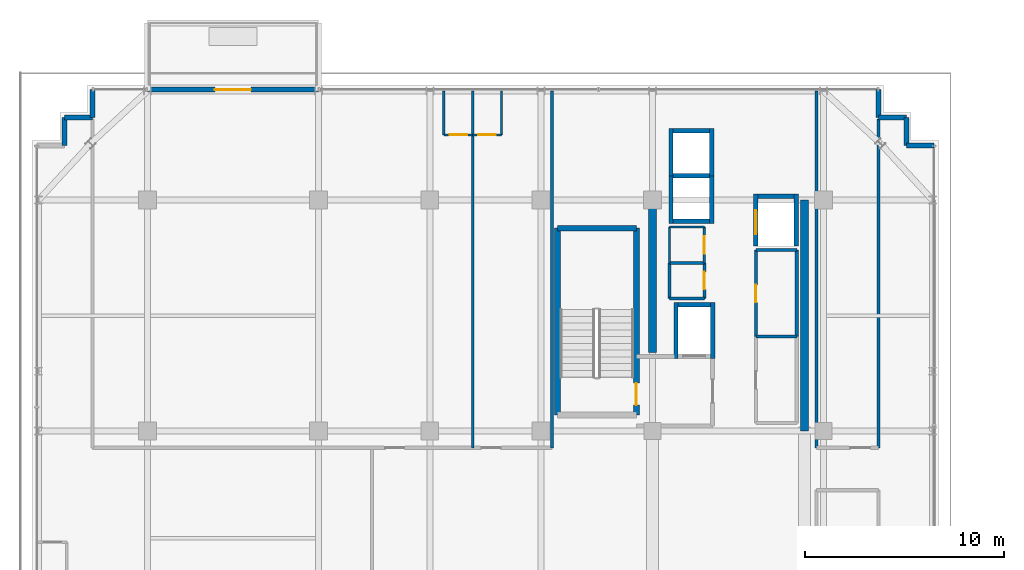
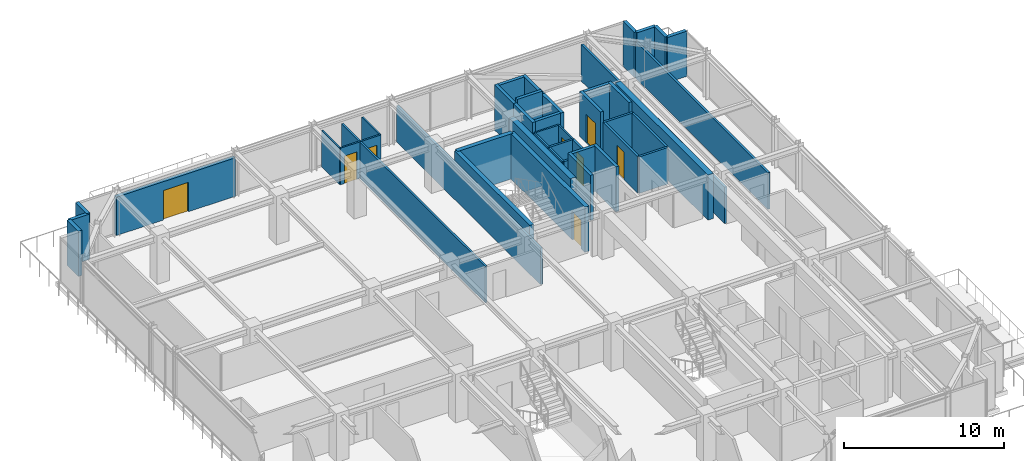
# One storey, part 26 of 32: 45 walls, 8 doors, 8 openings.
"""IFC4 building model written with IfcOpenShell, lengths in metres."""

from ifc_helpers import new_model, si_unit, direction, frame, frame_2d, origin, place, context, subcontext, project, spatial, rectangle, extrude, source, transform, mapped, material, layer, layer_set, type_object, element, fill, save


model = new_model("IFC4")

# Units and contexts
model_context = context("Model", 3, precision=1e-05, world=origin(), true_north=direction((0.0, 1.0)))
body_context = subcontext(model_context, "Body", "Model", "MODEL_VIEW")
ifc_project = project(units=[si_unit("LENGTHUNIT", "METRE"), si_unit("AREAUNIT", "SQUARE_METRE"), si_unit("VOLUMEUNIT", "CUBIC_METRE"), si_unit("PLANEANGLEUNIT", "RADIAN"), si_unit("MASSUNIT", "GRAM", prefix="KILO")], contexts=[model_context])

# Site, building, storey
site_placement = place(None, origin())
site = spatial("IfcSite", under=ifc_project, at=site_placement, CompositionType="ELEMENT")
building_placement = place(site_placement, origin())
building = spatial("IfcBuilding", under=site, at=building_placement, Name="Nahalor Promenade Grand Hotel", CompositionType="ELEMENT")
storey_placement = place(building_placement, frame((0.0, 0.0, 266.300048828125)))
storey = spatial("IfcBuildingStorey", under=building, at=storey_placement, Name="L68", CompositionType="ELEMENT", Elevation=266.300048828125)

# Walls
ifc_material_1 = material(Name="Concrete B-50 (C40/50)", Category="concrete")
ifc_layer_1 = layer(ifc_material_1, 0.39990234375)
ifc_layer_set_1 = layer_set([ifc_layer_1], Name="Concrete B-50 (C40/50)")
wall_type_1 = type_object("IfcWallType", Name="Wall-CoreShear-400", PredefinedType="SHEAR", material=ifc_layer_set_1)
shared_shape_1 = source(origin(), body_context, "Body", "SweptSolid", [
    extrude(rectangle(XDim=7.64990234375, YDim=0.39990234375, at=frame_2d((3.824951171875, 0.0))), origin(), (0.0, 0.0, 1.0), 3.449951171875),
])
wall_1_placement = place(storey_placement, frame((8.39990234375, 9.35009765625, 0.0), z_axis=(0.0, 0.0, 1.0), x_axis=(0.0, 1.0, 0.0)))
element("IfcWall", 1, at=wall_1_placement, inside=storey, type_object=wall_type_1, Name="CWALL-L68-NW", PredefinedType="SHEAR", context=body_context, shape_type="MappedRepresentation", body=[
    mapped(shared_shape_1, transform((0.0, 0.0, 0.0), scale=1.0)),
])
shared_shape_2 = source(origin(), body_context, "Body", "SweptSolid", [
    extrude(rectangle(XDim=11.60009765625, YDim=0.39990234375, at=frame_2d((5.800048828125, 0.0))), origin(), (0.0, 0.0, 1.0), 3.449951171875),
])
wall_2_placement = place(storey_placement, frame((16.050048828125, 5.39990234375, 0.0), z_axis=(0.0, 0.0, 1.0), x_axis=(0.0, 1.0, 0.0)))
element("IfcWall", 2, at=wall_2_placement, inside=storey, type_object=wall_type_1, Name="CWALL-L68-NE", PredefinedType="SHEAR", context=body_context, shape_type="MappedRepresentation", body=[
    mapped(shared_shape_2, transform((0.0, 0.0, 0.0), scale=1.0)),
])
ifc_layer_2 = layer(ifc_material_1, 0.300048828125)
ifc_layer_set_2 = layer_set([ifc_layer_2], Name="Concrete B-50 (C40/50)")
wall_type_2 = type_object("IfcWallType", Name="Wall-ShaftShear-300", PredefinedType="SHEAR", material=ifc_layer_set_2)
shared_shape_3 = source(origin(), body_context, "Body", "SweptSolid", [
    extrude(rectangle(XDim=3.97998046875, YDim=0.300048828125, at=frame_2d((1.989990234375, 0.0))), origin(), (0.0, 0.0, 1.0), 3.449951171875),
])
wall_3_placement = place(storey_placement, frame((3.610107421875, 15.590087890625, 0.0), z_axis=(0.0, 0.0, 1.0), x_axis=(1.0, 0.0, 0.0)))
element("IfcWall", 3, at=wall_3_placement, inside=storey, type_object=wall_type_2, Name="L68 Exit Stair ST1 Shaft Wall N", PredefinedType="SHEAR", context=body_context, shape_type="MappedRepresentation", body=[
    mapped(shared_shape_3, transform((0.0, 0.0, 0.0), scale=1.0)),
])
shared_shape_4 = source(origin(), body_context, "Body", "SweptSolid", [
    extrude(rectangle(XDim=9.380126953125, YDim=0.300048828125, at=frame_2d((4.68994140625, 0.0))), origin(), (0.0, 0.0, 1.0), 3.449951171875),
])
wall_4_placement = place(storey_placement, frame((3.610107421875, 6.2099609375, 0.0), z_axis=(0.0, 0.0, 1.0), x_axis=(0.0, 1.0, 0.0)))
element("IfcWall", 4, at=wall_4_placement, inside=storey, type_object=wall_type_2, Name="L68 Exit Stair ST1 Shaft Wall W", PredefinedType="SHEAR", context=body_context, shape_type="MappedRepresentation", body=[
    mapped(shared_shape_4, transform((0.0, 0.0, 0.0), scale=1.0)),
])

# Wall, opening, door
wall_5_placement = place(storey_placement, frame((7.590087890625, 6.2099609375, 0.0), z_axis=(0.0, 0.0, 1.0), x_axis=(0.0, 1.0, 0.0)))
wall_5 = element("IfcWall", 5, at=wall_5_placement, inside=storey, type_object=wall_type_2, Name="L68 Exit Stair ST1 Shaft Wall E", PredefinedType="SHEAR", context=body_context, shape_type="MappedRepresentation", body=[
    mapped(shared_shape_4, transform((0.0, 0.0, 0.0), scale=1.0)),
])
opening_1_placement = place(wall_5_placement, frame((0.489990234375, 0.0, 0.0)))
opening_1 = element("IfcOpeningElement", 6, at=opening_1_placement, cuts=wall_5, Name="Opening D-ST1", PredefinedType="OPENING", context=body_context, shape_type="SweptSolid", body=[
    extrude(rectangle(XDim=1.10009765625, YDim=2.14990234375, at=frame_2d((0.550048828125, 1.074951171875))), frame((0.0, 0.159912109375, 0.0), z_axis=(0.0, -1.0, 0.0), x_axis=(1.0, 0.0, 0.0)), (0.0, 0.0, 1.0), 0.320068359375),
])
ifc_material_2 = material(Name="Steel S355JR", Category="steel")
door_type_1 = type_object("IfcDoorType", Name="Door-StairFire-1100", OperationType="NOTDEFINED", PredefinedType="DOOR", material=ifc_material_2)
shared_shape_5 = source(origin(), body_context, "Body", "SweptSolid", [
    extrude(rectangle(XDim=1.10009765625, YDim=2.14990234375, at=frame_2d((0.550048828125, 1.074951171875))), frame((0.0, 0.02490234375, 0.0), z_axis=(0.0, -1.0, 0.0), x_axis=(1.0, 0.0, 0.0)), (0.0, 0.0, 1.0), 0.050048828125),
])
door_1_placement = place(opening_1_placement, origin())
door_1 = element("IfcDoor", 7, at=door_1_placement, inside=storey, type_object=door_type_1, Name="DR-STAIR-ST1-L68", OperationType="SINGLE_SWING_LEFT", OverallHeight=2.14990234375, OverallWidth=1.10009765625, PredefinedType="DOOR", context=body_context, shape_type="MappedRepresentation", body=[
    mapped(shared_shape_5, transform((0.0, 0.0, 0.0), scale=1.0)),
])
fill(opening_1, door_1)

# Walls
ifc_layer_3 = layer(ifc_material_1, 0.219970703125)
ifc_layer_set_3 = layer_set([ifc_layer_3], Name="Concrete B-50 (C40/50)")
wall_type_3 = type_object("IfcWallType", Name="Wall-LiftShaft-220", PredefinedType="SHEAR", material=ifc_layer_set_3)
shared_shape_6 = source(origin(), body_context, "Body", "SweptSolid", [
    extrude(rectangle(XDim=1.820068359375, YDim=0.219970703125, at=frame_2d((0.91015625, 0.0))), origin(), (0.0, 0.0, 1.0), 3.449951171875),
])
for number, where, z_axis, x_axis, name in (
    (8, (9.43994140625, 15.949951171875, 0.0), (0.0, 0.0, 1.0), (1.0, 0.0, 0.0), "L68 Lift OB1 Hoistway Wall S"),
    (9, (9.43994140625, 20.5, 0.0), (0.0, 0.0, 1.0), (1.0, 0.0, 0.0), "L68 Lift OB2 Hoistway Wall N"),
    (10, (13.68994140625, 17.199951171875, 0.0), (0.0, 0.0, 1.0), (1.0, 0.0, 0.0), "L68 Lift SV1 Hoistway Wall N"),
):
    element("IfcWall", number, at=place(storey_placement, frame(where, z_axis=z_axis, x_axis=x_axis)), inside=storey, type_object=wall_type_3, Name=name, PredefinedType="SHEAR", context=body_context, shape_type="MappedRepresentation", body=[
        mapped(shared_shape_6, transform((0.0, 0.0, 0.0), scale=1.0)),
    ])
shared_shape_7 = source(origin(), body_context, "Body", "SweptSolid", [
    extrude(rectangle(XDim=1.820068359375, YDim=0.219970703125, at=frame_2d((0.91015625, 0.0))), origin(), (0.0, 0.0, 1.0), 3.75),
])
wall_6_placement = place(storey_placement, frame((9.43994140625, 18.22509765625, 0.0), z_axis=(0.0, 0.0, 1.0), x_axis=(1.0, 0.0, 0.0)))
element("IfcWall", 11, at=wall_6_placement, inside=storey, type_object=wall_type_3, Name="L68 Lift OB1 Hoistway Wall N", PredefinedType="SHEAR", context=body_context, shape_type="MappedRepresentation", body=[
    mapped(shared_shape_7, transform((0.0, 0.0, 0.0), scale=1.0)),
])
shared_shape_8 = source(origin(), body_context, "Body", "SweptSolid", [
    extrude(rectangle(XDim=2.385009765625, YDim=0.219970703125, at=frame_2d((1.1923828125, 0.0))), origin(), (0.0, 0.0, 1.0), 3.449951171875),
])
for number, where, z_axis, x_axis, name in (
    (12, (9.330078125, 15.840087890625, 0.0), (0.0, 0.0, 1.0), (0.0, 1.0, 0.0), "L68 Lift OB1 Hoistway Wall W"),
    (13, (11.3701171875, 15.840087890625, 0.0), (0.0, 0.0, 1.0), (0.0, 1.0, 0.0), "L68 Lift OB1 Hoistway Wall E"),
    (14, (9.330078125, 18.22509765625, 0.0), (0.0, 0.0, 1.0), (0.0, 1.0, 0.0), "L68 Lift OB2 Hoistway Wall W"),
    (15, (11.3701171875, 18.22509765625, 0.0), (0.0, 0.0, 1.0), (0.0, 1.0, 0.0), "L68 Lift OB2 Hoistway Wall E"),
):
    element("IfcWall", number, at=place(storey_placement, frame(where, z_axis=z_axis, x_axis=x_axis)), inside=storey, type_object=wall_type_3, Name=name, PredefinedType="SHEAR", context=body_context, shape_type="MappedRepresentation", body=[
        mapped(shared_shape_8, transform((0.0, 0.0, 0.0), scale=1.0)),
    ])
shared_shape_9 = source(origin(), body_context, "Body", "SweptSolid", [
    extrude(rectangle(XDim=2.820068359375, YDim=0.219970703125, at=frame_2d((1.41015625, 0.0))), origin(), (0.0, 0.0, 1.0), 3.449951171875),
])
for number, where, z_axis, x_axis, name in (
    (16, (9.580078125, 9.0400390625, 0.0), (0.0, 0.0, 1.0), (0.0, 1.0, 0.0), "L68 Lift FL1 Hoistway Wall W"),
    (17, (11.419921875, 9.0400390625, 0.0), (0.0, 0.0, 1.0), (0.0, 1.0, 0.0), "L68 Lift FL1 Hoistway Wall E"),
):
    element("IfcWall", number, at=place(storey_placement, frame(where, z_axis=z_axis, x_axis=x_axis)), inside=storey, type_object=wall_type_3, Name=name, PredefinedType="SHEAR", context=body_context, shape_type="MappedRepresentation", body=[
        mapped(shared_shape_9, transform((0.0, 0.0, 0.0), scale=1.0)),
    ])
shared_shape_10 = source(origin(), body_context, "Body", "SweptSolid", [
    extrude(rectangle(XDim=1.6201171875, YDim=0.219970703125, at=frame_2d((0.81005859375, 0.0))), origin(), (0.0, 0.0, 1.0), 3.449951171875),
])
wall_7_placement = place(storey_placement, frame((9.68994140625, 11.75, 0.0), z_axis=(0.0, 0.0, 1.0), x_axis=(1.0, 0.0, 0.0)))
element("IfcWall", 18, at=wall_7_placement, inside=storey, type_object=wall_type_3, Name="L68 Lift FL1 Hoistway Wall N", PredefinedType="SHEAR", context=body_context, shape_type="MappedRepresentation", body=[
    mapped(shared_shape_10, transform((0.0, 0.0, 0.0), scale=1.0)),
])

# Wall, opening, door
shared_shape_11 = source(origin(), body_context, "Body", "SweptSolid", [
    extrude(rectangle(XDim=2.610107421875, YDim=0.219970703125, at=frame_2d((1.30517578125, 0.0))), origin(), (0.0, 0.0, 1.0), 3.449951171875),
])
wall_8_placement = place(storey_placement, frame((13.580078125, 14.699951171875, 0.0), z_axis=(0.0, 0.0, 1.0), x_axis=(0.0, 1.0, 0.0)))
wall_8 = element("IfcWall", 19, at=wall_8_placement, inside=storey, type_object=wall_type_3, Name="L68 Lift SV1 Hoistway Wall W", PredefinedType="SHEAR", context=body_context, shape_type="MappedRepresentation", body=[
    mapped(shared_shape_11, transform((0.0, 0.0, 0.0), scale=1.0)),
])
opening_2_placement = place(wall_8_placement, frame((0.60009765625, 0.0, 0.0)))
opening_2 = element("IfcOpeningElement", 20, at=opening_2_placement, cuts=wall_8, Name="Opening LD-03", PredefinedType="OPENING", context=body_context, shape_type="SweptSolid", body=[
    extrude(rectangle(XDim=1.199951171875, YDim=2.199951171875, at=frame_2d((0.60009765625, 1.10009765625))), frame((0.0, 0.119873046875, 0.0), z_axis=(0.0, -1.0, 0.0), x_axis=(1.0, 0.0, 0.0)), (0.0, 0.0, 1.0), 0.239990234375),
])
door_type_2 = type_object("IfcDoorType", Name="Door-LiftService-1200", OperationType="DOUBLE_DOOR_SLIDING", PredefinedType="DOOR", material=ifc_material_2)
shared_shape_12 = source(origin(), body_context, "Body", "SweptSolid", [
    extrude(rectangle(XDim=1.199951171875, YDim=2.199951171875, at=frame_2d((0.60009765625, 1.10009765625))), frame((0.0, 0.02490234375, 0.0), z_axis=(0.0, -1.0, 0.0), x_axis=(1.0, 0.0, 0.0)), (0.0, 0.0, 1.0), 0.050048828125),
])
door_2_placement = place(opening_2_placement, origin())
door_2 = element("IfcDoor", 21, at=door_2_placement, inside=storey, type_object=door_type_2, Name="DR-LIFT-SV1-L68", OperationType="DOUBLE_DOOR_SLIDING", OverallHeight=2.199951171875, OverallWidth=1.199951171875, PredefinedType="DOOR", context=body_context, shape_type="MappedRepresentation", body=[
    mapped(shared_shape_12, transform((0.0, 0.0, 0.0), scale=1.0)),
])
fill(opening_2, door_2)

# Walls
wall_9_placement = place(storey_placement, frame((15.6201171875, 14.699951171875, 0.0), z_axis=(0.0, 0.0, 1.0), x_axis=(0.0, 1.0, 0.0)))
element("IfcWall", 22, at=wall_9_placement, inside=storey, type_object=wall_type_3, Name="L68 Lift SV1 Hoistway Wall E", PredefinedType="SHEAR", context=body_context, shape_type="MappedRepresentation", body=[
    mapped(shared_shape_11, transform((0.0, 0.0, 0.0), scale=1.0)),
])
ifc_material_3 = material(Name="Concrete B-40 (C32/40)", Category="concrete")
ifc_layer_4 = layer(ifc_material_3, 0.25)
ifc_layer_set_4 = layer_set([ifc_layer_4], Name="Concrete B-40 (C32/40)")
wall_type_4 = type_object("IfcWallType", Name="Wall-BronzePier-250", PredefinedType="STANDARD", material=ifc_layer_set_4)
shared_shape_13 = source(origin(), body_context, "Body", "SweptSolid", [
    extrude(rectangle(XDim=1.400146484375, YDim=0.25, at=frame_2d((0.7001953125, 0.0))), origin(), (0.0, 0.0, 1.0), 3.449951171875),
])
for number, where, z_axis, x_axis, name in (
    (23, (21.159912109375, 19.760009765625, 0.0), (0.0, 0.0, 1.0), (1.0, 0.0, 0.0), "W-L68-SR-05"),
    (24, (19.760009765625, 21.159912109375, 0.0), (0.0, 0.0, 1.0), (0.0, 1.0, 0.0), "W-L68-SR-08"),
    (25, (-19.760009765625, 21.159912109375, 0.0), (0.0, 0.0, 1.0), (0.0, 1.0, 0.0), "W-L68-SR-09"),
):
    element("IfcWall", number, at=place(storey_placement, frame(where, z_axis=z_axis, x_axis=x_axis)), inside=storey, type_object=wall_type_4, Name=name, PredefinedType="STANDARD", context=body_context, shape_type="MappedRepresentation", body=[
        mapped(shared_shape_13, transform((0.0, 0.0, 0.0), scale=1.0)),
    ])
shared_shape_14 = source(origin(), body_context, "Body", "SweptSolid", [
    extrude(rectangle(XDim=1.39990234375, YDim=0.25, at=frame_2d((0.699951171875, 0.0))), origin(), (0.0, 0.0, 1.0), 3.449951171875),
])
for number, where, z_axis, x_axis, name in (
    (26, (21.159912109375, 19.760009765625, 0.0), (0.0, 0.0, 1.0), (0.0, 1.0, 0.0), "W-L68-SR-06"),
    (27, (19.760009765625, 21.159912109375, 0.0), (0.0, 0.0, 1.0), (1.0, 0.0, 0.0), "W-L68-SR-07"),
    (28, (-21.159912109375, 21.159912109375, 0.0), (0.0, 0.0, 1.0), (1.0, 0.0, 0.0), "W-L68-SR-10"),
    (29, (-21.159912109375, 19.760009765625, 0.0), (0.0, 0.0, 1.0), (0.0, 1.0, 0.0), "W-L68-SR-11"),
):
    element("IfcWall", number, at=place(storey_placement, frame(where, z_axis=z_axis, x_axis=x_axis)), inside=storey, type_object=wall_type_4, Name=name, PredefinedType="STANDARD", context=body_context, shape_type="MappedRepresentation", body=[
        mapped(shared_shape_14, transform((0.0, 0.0, 0.0), scale=1.0)),
    ])

# Wall, opening, door
ifc_layer_5 = layer(ifc_material_3, 0.260009765625)
ifc_layer_set_5 = layer_set([ifc_layer_5], Name="Concrete B-40 (C32/40)")
wall_type_5 = type_object("IfcWallType", Name="Wall-BalconyWall-260", PredefinedType="STANDARD", material=ifc_layer_set_5)
shared_shape_15 = source(origin(), body_context, "Body", "SweptSolid", [
    extrude(rectangle(XDim=8.60009765625, YDim=0.260009765625, at=frame_2d((4.300048828125, 0.0))), origin(), (0.0, 0.0, 1.0), 2.929931640625),
])
wall_10_placement = place(storey_placement, frame((-17.0, 22.56005859375, 0.0), z_axis=(0.0, 0.0, 1.0), x_axis=(1.0, 0.0, 0.0)))
wall_10 = element("IfcWall", 30, at=wall_10_placement, inside=storey, type_object=wall_type_5, Name="W-L68-BALC-N-2", PredefinedType="STANDARD", context=body_context, shape_type="MappedRepresentation", body=[
    mapped(shared_shape_15, transform((0.0, 0.0, 0.0), scale=1.0)),
])
opening_3_placement = place(wall_10_placement, frame((3.39990234375, 0.0, 0.0)))
opening_3 = element("IfcOpeningElement", 31, at=opening_3_placement, cuts=wall_10, Name="Opening D-BC1", PredefinedType="OPENING", context=body_context, shape_type="SweptSolid", body=[
    extrude(rectangle(XDim=1.800048828125, YDim=2.25, at=frame_2d((0.89990234375, 1.125))), frame((0.0, 0.139892578125, 0.0), z_axis=(0.0, -1.0, 0.0), x_axis=(1.0, 0.0, 0.0)), (0.0, 0.0, 1.0), 0.280029296875),
])
ifc_material_4 = material(Name="Anodised Bronze Aluminium EN AW-6063 T6", Category="aluminium")
door_type_3 = type_object("IfcDoorType", Name="Door-BalconySlide-1800", OperationType="DOUBLE_DOOR_SLIDING", PredefinedType="DOOR", material=ifc_material_4)
shared_shape_16 = source(origin(), body_context, "Body", "SweptSolid", [
    extrude(rectangle(XDim=1.800048828125, YDim=2.25, at=frame_2d((0.89990234375, 1.125))), frame((0.0, 0.02490234375, 0.0), z_axis=(0.0, -1.0, 0.0), x_axis=(1.0, 0.0, 0.0)), (0.0, 0.0, 1.0), 0.050048828125),
])
door_3_placement = place(opening_3_placement, origin())
door_3 = element("IfcDoor", 32, at=door_3_placement, inside=storey, type_object=door_type_3, Name="DR-L68-BALC-N-2", OperationType="DOUBLE_DOOR_SLIDING", OverallHeight=2.25, OverallWidth=1.800048828125, PredefinedType="DOOR", context=body_context, shape_type="MappedRepresentation", body=[
    mapped(shared_shape_16, transform((0.0, 0.0, 0.0), scale=1.0)),
])
fill(opening_3, door_3)

# Walls
ifc_material_5 = material(Name="Acoustic Mineral Gypsum", Category="gypsum")
ifc_layer_6 = layer(ifc_material_5, 0.14990234375)
ifc_layer_set_6 = layer_set([ifc_layer_6], Name="Acoustic Mineral Gypsum")
wall_type_6 = type_object("IfcWallType", Name="Wall-PartService-150", PredefinedType="PARTITIONING", material=ifc_layer_set_6)
shared_shape_17 = source(origin(), body_context, "Body", "SweptSolid", [
    extrude(rectangle(XDim=1.75, YDim=0.14990234375, at=frame_2d((0.875, 0.0))), origin(), (0.0, 0.0, 1.0), 2.7900390625),
])
for number, where, z_axis, x_axis, name in (
    (33, (9.25, 12.050048828125, 0.0), (0.0, 0.0, 1.0), (1.0, 0.0, 0.0), "W-L68-CK2A-S"),
    (34, (9.25, 13.85009765625, 0.0), (0.0, 0.0, 1.0), (1.0, 0.0, 0.0), "W-L68-CK2A-N"),
):
    element("IfcWall", number, at=place(storey_placement, frame(where, z_axis=z_axis, x_axis=x_axis)), inside=storey, type_object=wall_type_6, Name=name, PredefinedType="PARTITIONING", context=body_context, shape_type="MappedRepresentation", body=[
        mapped(shared_shape_17, transform((0.0, 0.0, 0.0), scale=1.0)),
    ])
shared_shape_18 = source(origin(), body_context, "Body", "SweptSolid", [
    extrude(rectangle(XDim=1.800048828125, YDim=0.14990234375, at=frame_2d((0.89990234375, 0.0))), origin(), (0.0, 0.0, 1.0), 2.7900390625),
])
wall_11_placement = place(storey_placement, frame((9.25, 12.050048828125, 0.0), z_axis=(0.0, 0.0, 1.0), x_axis=(0.0, 1.0, 0.0)))
element("IfcWall", 35, at=wall_11_placement, inside=storey, type_object=wall_type_6, Name="W-L68-CK2A-W", PredefinedType="PARTITIONING", context=body_context, shape_type="MappedRepresentation", body=[
    mapped(shared_shape_18, transform((0.0, 0.0, 0.0), scale=1.0)),
])

# Wall, opening, door
wall_12_placement = place(storey_placement, frame((11.0, 12.050048828125, 0.0), z_axis=(0.0, 0.0, 1.0), x_axis=(0.0, 1.0, 0.0)))
wall_12 = element("IfcWall", 36, at=wall_12_placement, inside=storey, type_object=wall_type_6, Name="W-L68-CK2A-E", PredefinedType="PARTITIONING", context=body_context, shape_type="MappedRepresentation", body=[
    mapped(shared_shape_18, transform((0.0, 0.0, 0.0), scale=1.0)),
])
opening_4_placement = place(wall_12_placement, frame((0.4599609375, 0.0, 0.0)))
opening_4 = element("IfcOpeningElement", 37, at=opening_4_placement, cuts=wall_12, Name="Opening D-03", PredefinedType="OPENING", context=body_context, shape_type="SweptSolid", body=[
    extrude(rectangle(XDim=0.8798828125, YDim=2.10009765625, at=frame_2d((0.43994140625, 1.050048828125))), frame((0.0, 0.0849609375, 0.0), z_axis=(0.0, -1.0, 0.0), x_axis=(1.0, 0.0, 0.0)), (0.0, 0.0, 1.0), 0.169921875),
])
ifc_material_6 = material(Name="Fire-Rated Timber Composite", Category="wood")
door_type_4 = type_object("IfcDoorType", Name="Door-BathSwing-880", OperationType="NOTDEFINED", PredefinedType="DOOR", material=ifc_material_6)
shared_shape_19 = source(origin(), body_context, "Body", "SweptSolid", [
    extrude(rectangle(XDim=0.8798828125, YDim=2.10009765625, at=frame_2d((0.43994140625, 1.050048828125))), frame((0.0, 0.02490234375, 0.0), z_axis=(0.0, -1.0, 0.0), x_axis=(1.0, 0.0, 0.0)), (0.0, 0.0, 1.0), 0.050048828125),
])
door_4_placement = place(opening_4_placement, origin())
door_4 = element("IfcDoor", 38, at=door_4_placement, inside=storey, type_object=door_type_4, Name="DR-L68-CK2A", OperationType="SINGLE_SWING_RIGHT", OverallHeight=2.10009765625, OverallWidth=0.8798828125, PredefinedType="DOOR", context=body_context, shape_type="MappedRepresentation", body=[
    mapped(shared_shape_19, transform((0.0, 0.0, 0.0), scale=1.0)),
])
fill(opening_4, door_4)

# Walls
ifc_layer_7 = layer(ifc_material_5, 0.1201171875)
ifc_layer_set_7 = layer_set([ifc_layer_7], Name="Acoustic Mineral Gypsum")
wall_type_7 = type_object("IfcWallType", Name="Wall-PartBath-120", PredefinedType="PARTITIONING", material=ifc_layer_set_7)
shared_shape_20 = source(origin(), body_context, "Body", "SweptSolid", [
    extrude(rectangle(XDim=1.75, YDim=0.1201171875, at=frame_2d((0.875, 0.0))), origin(), (0.0, 0.0, 1.0), 2.7900390625),
])
wall_13_placement = place(storey_placement, frame((9.25, 15.64990234375, 0.0), z_axis=(0.0, 0.0, 1.0), x_axis=(1.0, 0.0, 0.0)))
element("IfcWall", 39, at=wall_13_placement, inside=storey, type_object=wall_type_7, Name="W-L68-CK2B-N", PredefinedType="PARTITIONING", context=body_context, shape_type="MappedRepresentation", body=[
    mapped(shared_shape_20, transform((0.0, 0.0, 0.0), scale=1.0)),
])
shared_shape_21 = source(origin(), body_context, "Body", "SweptSolid", [
    extrude(rectangle(XDim=1.7998046875, YDim=0.1201171875, at=frame_2d((0.89990234375, 0.0))), origin(), (0.0, 0.0, 1.0), 2.7900390625),
])
wall_14_placement = place(storey_placement, frame((9.25, 13.85009765625, 0.0), z_axis=(0.0, 0.0, 1.0), x_axis=(0.0, 1.0, 0.0)))
element("IfcWall", 40, at=wall_14_placement, inside=storey, type_object=wall_type_7, Name="W-L68-CK2B-W", PredefinedType="PARTITIONING", context=body_context, shape_type="MappedRepresentation", body=[
    mapped(shared_shape_21, transform((0.0, 0.0, 0.0), scale=1.0)),
])

# Wall, opening, door
wall_15_placement = place(storey_placement, frame((11.0, 13.85009765625, 0.0), z_axis=(0.0, 0.0, 1.0), x_axis=(0.0, 1.0, 0.0)))
wall_15 = element("IfcWall", 41, at=wall_15_placement, inside=storey, type_object=wall_type_7, Name="W-L68-CK2B-E", PredefinedType="PARTITIONING", context=body_context, shape_type="MappedRepresentation", body=[
    mapped(shared_shape_21, transform((0.0, 0.0, 0.0), scale=1.0)),
])
opening_5_placement = place(wall_15_placement, frame((0.4599609375, 0.0, 0.0)))
opening_5 = element("IfcOpeningElement", 42, at=opening_5_placement, cuts=wall_15, Name="Opening D-03", PredefinedType="OPENING", context=body_context, shape_type="SweptSolid", body=[
    extrude(rectangle(XDim=0.8798828125, YDim=2.10009765625, at=frame_2d((0.43994140625, 1.050048828125))), frame((0.0, 0.070068359375, 0.0), z_axis=(0.0, -1.0, 0.0), x_axis=(1.0, 0.0, 0.0)), (0.0, 0.0, 1.0), 0.14013671875),
])
door_5_placement = place(opening_5_placement, origin())
door_5 = element("IfcDoor", 43, at=door_5_placement, inside=storey, type_object=door_type_4, Name="DR-L68-CK2B", OperationType="SINGLE_SWING_LEFT", OverallHeight=2.10009765625, OverallWidth=0.8798828125, PredefinedType="DOOR", context=body_context, shape_type="MappedRepresentation", body=[
    mapped(shared_shape_19, transform((0.0, 0.0, 0.0), scale=1.0)),
])
fill(opening_5, door_5)

# Walls
ifc_layer_8 = layer(ifc_material_5, 0.159912109375)
ifc_layer_set_8 = layer_set([ifc_layer_8], Name="Acoustic Mineral Gypsum")
wall_type_8 = type_object("IfcWallType", Name="Wall-PartCorridor-160", PredefinedType="PARTITIONING", material=ifc_layer_set_8)
shared_shape_22 = source(origin(), body_context, "Body", "SweptSolid", [
    extrude(rectangle(XDim=2.0498046875, YDim=0.159912109375, at=frame_2d((1.02490234375, 0.0))), origin(), (0.0, 0.0, 1.0), 2.7900390625),
])
for number, where, z_axis, x_axis, name in (
    (44, (13.60009765625, 10.14990234375, 0.0), (0.0, 0.0, 1.0), (1.0, 0.0, 0.0), "W-L68-FRB1A-N"),
    (45, (13.60009765625, 14.5, 0.0), (0.0, 0.0, 1.0), (1.0, 0.0, 0.0), "W-L68-FRB1B-N"),
):
    element("IfcWall", number, at=place(storey_placement, frame(where, z_axis=z_axis, x_axis=x_axis)), inside=storey, type_object=wall_type_8, Name=name, PredefinedType="PARTITIONING", context=body_context, shape_type="MappedRepresentation", body=[
        mapped(shared_shape_22, transform((0.0, 0.0, 0.0), scale=1.0)),
    ])

# Wall, opening, door
shared_shape_23 = source(origin(), body_context, "Body", "SweptSolid", [
    extrude(rectangle(XDim=4.35009765625, YDim=0.159912109375, at=frame_2d((2.175048828125, 0.0))), origin(), (0.0, 0.0, 1.0), 2.7900390625),
])
wall_16_placement = place(storey_placement, frame((13.60009765625, 10.14990234375, 0.0), z_axis=(0.0, 0.0, 1.0), x_axis=(0.0, 1.0, 0.0)))
wall_16 = element("IfcWall", 46, at=wall_16_placement, inside=storey, type_object=wall_type_8, Name="W-L68-FRB1B-W", PredefinedType="PARTITIONING", context=body_context, shape_type="MappedRepresentation", body=[
    mapped(shared_shape_23, transform((0.0, 0.0, 0.0), scale=1.0)),
])
opening_6_placement = place(wall_16_placement, frame((1.7099609375, 0.0, 0.0)))
opening_6 = element("IfcOpeningElement", 47, at=opening_6_placement, cuts=wall_16, Name="Opening D-03", PredefinedType="OPENING", context=body_context, shape_type="SweptSolid", body=[
    extrude(rectangle(XDim=0.8798828125, YDim=2.10009765625, at=frame_2d((0.43994140625, 1.050048828125))), frame((0.0, 0.08984375, 0.0), z_axis=(0.0, -1.0, 0.0), x_axis=(1.0, 0.0, 0.0)), (0.0, 0.0, 1.0), 0.179931640625),
])
door_6_placement = place(opening_6_placement, frame((0.8798828125, 0.0, 0.0), z_axis=(0.0, 0.0, 1.0), x_axis=(-1.0, 0.0, 0.0)))
door_6 = element("IfcDoor", 48, at=door_6_placement, inside=storey, type_object=door_type_4, Name="DR-L68-FRB1B", OperationType="SINGLE_SWING_LEFT", OverallHeight=2.10009765625, OverallWidth=0.8798828125, PredefinedType="DOOR", context=body_context, shape_type="MappedRepresentation", body=[
    mapped(shared_shape_19, transform((0.0, 0.0, 0.0), scale=1.0)),
])
fill(opening_6, door_6)

# Walls
wall_17_placement = place(storey_placement, frame((15.64990234375, 10.14990234375, 0.0), z_axis=(0.0, 0.0, 1.0), x_axis=(0.0, 1.0, 0.0)))
element("IfcWall", 49, at=wall_17_placement, inside=storey, type_object=wall_type_8, Name="W-L68-FRB1B-E", PredefinedType="PARTITIONING", context=body_context, shape_type="MappedRepresentation", body=[
    mapped(shared_shape_23, transform((0.0, 0.0, 0.0), scale=1.0)),
])
shared_shape_24 = source(origin(), body_context, "Body", "SweptSolid", [
    extrude(rectangle(XDim=17.949951171875, YDim=0.159912109375, at=frame_2d((8.97509765625, 0.0))), origin(), (0.0, 0.0, 1.0), 2.7900390625),
])
wall_18_placement = place(storey_placement, frame((16.64990234375, 4.550048828125, 0.0), z_axis=(0.0, 0.0, 1.0), x_axis=(0.0, 1.0, 0.0)))
element("IfcWall", 50, at=wall_18_placement, inside=storey, type_object=wall_type_8, Name="W-L68-ENE-W", PredefinedType="PARTITIONING", context=body_context, shape_type="MappedRepresentation", body=[
    mapped(shared_shape_24, transform((0.0, 0.0, 0.0), scale=1.0)),
])
shared_shape_25 = source(origin(), body_context, "Body", "SweptSolid", [
    extrude(rectangle(XDim=16.530029296875, YDim=0.159912109375, at=frame_2d((8.26513671875, 0.0))), origin(), (0.0, 0.0, 1.0), 2.7900390625),
])
wall_19_placement = place(storey_placement, frame((19.760009765625, 4.550048828125, 0.0), z_axis=(0.0, 0.0, 1.0), x_axis=(0.0, 1.0, 0.0)))
element("IfcWall", 51, at=wall_19_placement, inside=storey, type_object=wall_type_8, Name="W-L68-ENE-E", PredefinedType="PARTITIONING", context=body_context, shape_type="MappedRepresentation", body=[
    mapped(shared_shape_25, transform((0.0, 0.0, 0.0), scale=1.0)),
])
ifc_layer_9 = layer(ifc_material_5, 0.139892578125)
ifc_layer_set_9 = layer_set([ifc_layer_9], Name="Acoustic Mineral Gypsum")
wall_type_9 = type_object("IfcWallType", Name="Wall-PartSuite-140", PredefinedType="PARTITIONING", material=ifc_layer_set_9)
shared_shape_26 = source(origin(), body_context, "Body", "SweptSolid", [
    extrude(rectangle(XDim=17.949951171875, YDim=0.139892578125, at=frame_2d((8.97509765625, 0.0))), origin(), (0.0, 0.0, 1.0), 2.7900390625),
])
for number, where, z_axis, x_axis, name in (
    (52, (3.340087890625, 4.550048828125, 0.0), (0.0, 0.0, 1.0), (0.0, 1.0, 0.0), "W-L68-NW-ENDE"),
    (53, (-0.64404296875, 4.550048828125, 0.0), (0.0, 0.0, 1.0), (0.0, 1.0, 0.0), "W-L68-NP-1"),
):
    element("IfcWall", number, at=place(storey_placement, frame(where, z_axis=z_axis, x_axis=x_axis)), inside=storey, type_object=wall_type_9, Name=name, PredefinedType="PARTITIONING", context=body_context, shape_type="MappedRepresentation", body=[
        mapped(shared_shape_26, transform((0.0, 0.0, 0.0), scale=1.0)),
    ])

# Wall, opening, door
shared_shape_27 = source(origin(), body_context, "Body", "SweptSolid", [
    extrude(rectangle(XDim=1.449951171875, YDim=0.1201171875, at=frame_2d((0.72509765625, 0.0))), origin(), (0.0, 0.0, 1.0), 2.7900390625),
])
wall_20_placement = place(storey_placement, frame((-2.093994140625, 20.280029296875, 0.0), z_axis=(0.0, 0.0, 1.0), x_axis=(1.0, 0.0, 0.0)))
wall_20 = element("IfcWall", 54, at=wall_20_placement, inside=storey, type_object=wall_type_7, Name="W-L68-N1-BH", PredefinedType="PARTITIONING", context=body_context, shape_type="MappedRepresentation", body=[
    mapped(shared_shape_27, transform((0.0, 0.0, 0.0), scale=1.0)),
])
opening_7_placement = place(wall_20_placement, frame((0.284912109375, 0.0, 0.0)))
opening_7 = element("IfcOpeningElement", 55, at=opening_7_placement, cuts=wall_20, Name="Opening D-03", PredefinedType="OPENING", context=body_context, shape_type="SweptSolid", body=[
    extrude(rectangle(XDim=0.8798828125, YDim=2.10009765625, at=frame_2d((0.43994140625, 1.050048828125))), frame((0.0, 0.070068359375, 0.0), z_axis=(0.0, -1.0, 0.0), x_axis=(1.0, 0.0, 0.0)), (0.0, 0.0, 1.0), 0.14013671875),
])
door_7_placement = place(opening_7_placement, origin())
door_7 = element("IfcDoor", 56, at=door_7_placement, inside=storey, type_object=door_type_4, Name="DR-L68-N1-BATH", OperationType="SINGLE_SWING_RIGHT", OverallHeight=2.10009765625, OverallWidth=0.8798828125, PredefinedType="DOOR", context=body_context, shape_type="MappedRepresentation", body=[
    mapped(shared_shape_19, transform((0.0, 0.0, 0.0), scale=1.0)),
])
fill(opening_7, door_7)

wall_21_placement = place(storey_placement, frame((-0.64404296875, 20.280029296875, 0.0), z_axis=(0.0, 0.0, 1.0), x_axis=(1.0, 0.0, 0.0)))
wall_21 = element("IfcWall", 57, at=wall_21_placement, inside=storey, type_object=wall_type_7, Name="W-L68-N2-BH", PredefinedType="PARTITIONING", context=body_context, shape_type="MappedRepresentation", body=[
    mapped(shared_shape_27, transform((0.0, 0.0, 0.0), scale=1.0)),
])
opening_8_placement = place(wall_21_placement, frame((0.284912109375, 0.0, 0.0)))
opening_8 = element("IfcOpeningElement", 58, at=opening_8_placement, cuts=wall_21, Name="Opening D-03", PredefinedType="OPENING", context=body_context, shape_type="SweptSolid", body=[
    extrude(rectangle(XDim=0.8798828125, YDim=2.10009765625, at=frame_2d((0.43994140625, 1.050048828125))), frame((0.0, 0.070068359375, 0.0), z_axis=(0.0, -1.0, 0.0), x_axis=(1.0, 0.0, 0.0)), (0.0, 0.0, 1.0), 0.14013671875),
])
door_8_placement = place(opening_8_placement, origin())
door_8 = element("IfcDoor", 59, at=door_8_placement, inside=storey, type_object=door_type_4, Name="DR-L68-N2-BATH", OperationType="SINGLE_SWING_RIGHT", OverallHeight=2.10009765625, OverallWidth=0.8798828125, PredefinedType="DOOR", context=body_context, shape_type="MappedRepresentation", body=[
    mapped(shared_shape_19, transform((0.0, 0.0, 0.0), scale=1.0)),
])
fill(opening_8, door_8)

# Walls
shared_shape_28 = source(origin(), body_context, "Body", "SweptSolid", [
    extrude(rectangle(XDim=2.219970703125, YDim=0.1201171875, at=frame_2d((1.10986328125, 0.0))), origin(), (0.0, 0.0, 1.0), 2.7900390625),
])
for number, where, z_axis, x_axis, name in (
    (60, (-2.093994140625, 20.280029296875, 0.0), (0.0, 0.0, 1.0), (0.0, 1.0, 0.0), "W-L68-N1-BV"),
    (61, (0.805908203125, 20.280029296875, 0.0), (0.0, 0.0, 1.0), (0.0, 1.0, 0.0), "W-L68-N2-BV"),
):
    element("IfcWall", number, at=place(storey_placement, frame(where, z_axis=z_axis, x_axis=x_axis)), inside=storey, type_object=wall_type_7, Name=name, PredefinedType="PARTITIONING", context=body_context, shape_type="MappedRepresentation", body=[
        mapped(shared_shape_28, transform((0.0, 0.0, 0.0), scale=1.0)),
    ])

save(model, "model.ifc")
